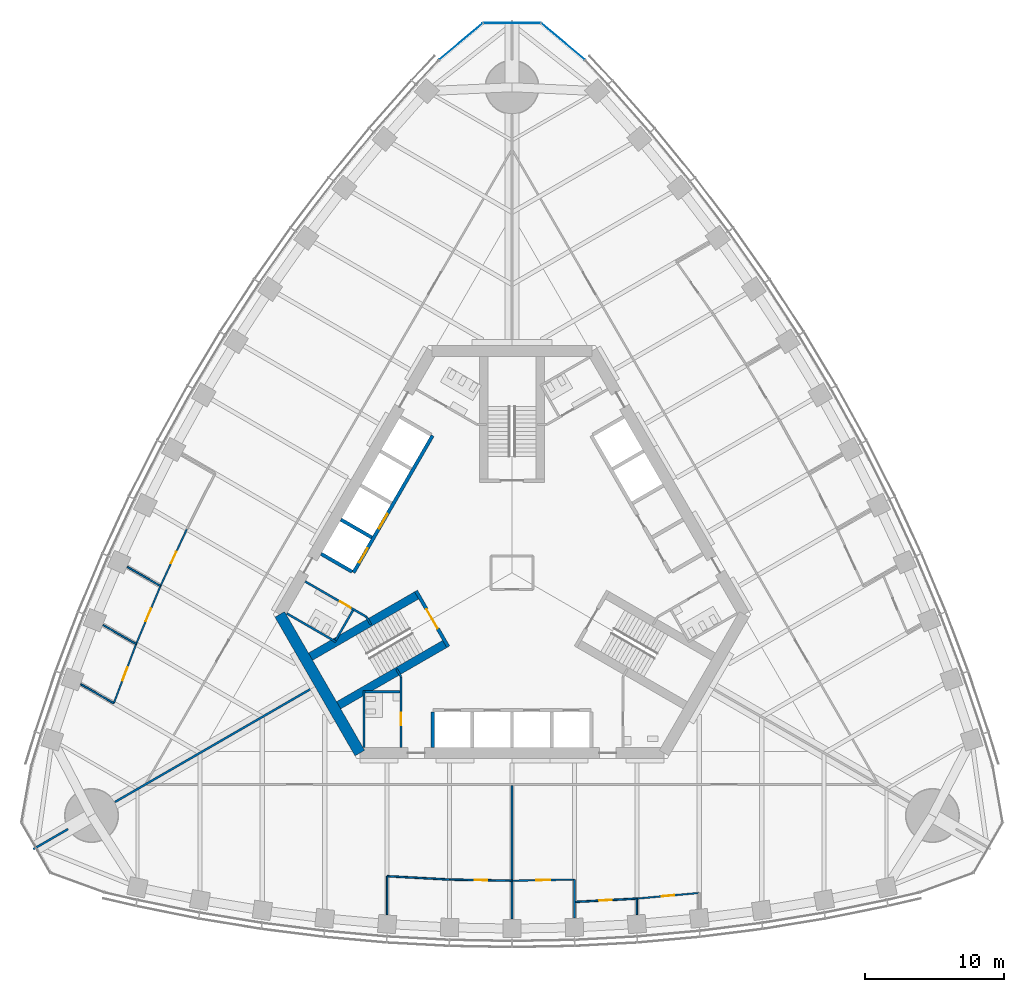
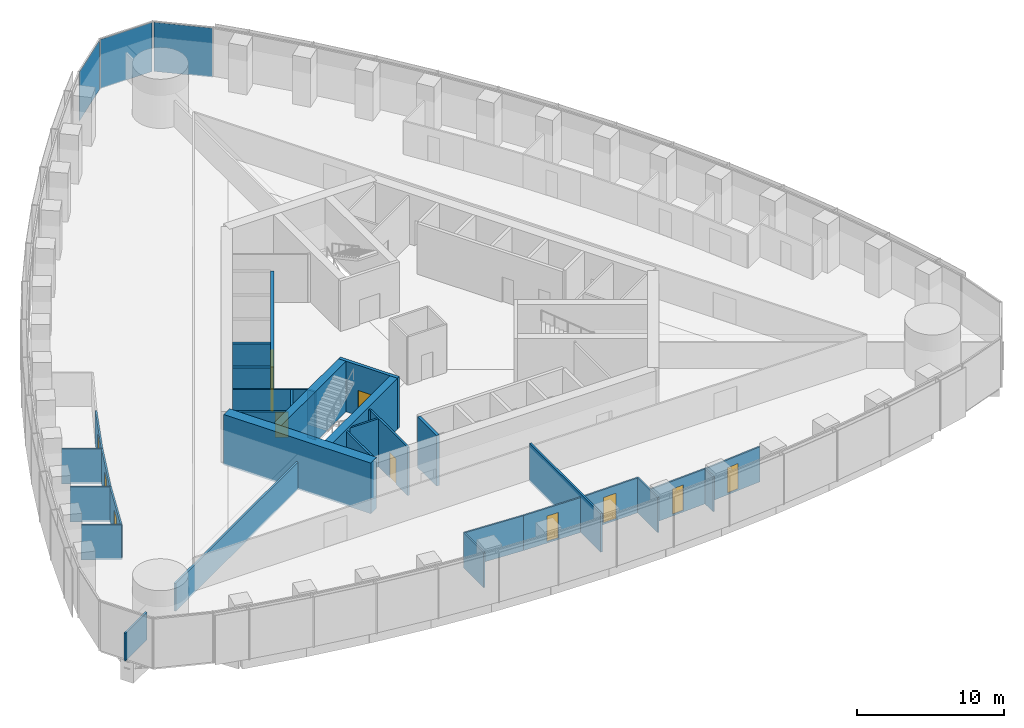
# One storey, part 11 of 19: 33 walls, 12 doors, 3 plates, 12 openings, 1 element without a shape of its own.
"""IFC4 building model written with IfcOpenShell, lengths in metres."""

from ifc_helpers import new_model, si_unit, direction, frame, frame_2d, origin, origin_2d, place, context, subcontext, project, spatial, rectangle, extrude, material, layer, layer_set, type_object, element, fill, aggregate, save


model = new_model("IFC4")

# Units and contexts
model_context = context("Model", 3, precision=1e-05, world=origin(), true_north=direction((0.0, 1.0)))
body_context = subcontext(model_context, "Body", "Model", "MODEL_VIEW")
ifc_project = project(units=[si_unit("LENGTHUNIT", "METRE"), si_unit("AREAUNIT", "SQUARE_METRE"), si_unit("VOLUMEUNIT", "CUBIC_METRE"), si_unit("PLANEANGLEUNIT", "RADIAN"), si_unit("MASSUNIT", "GRAM", prefix="KILO")], contexts=[model_context])

# Site, building, storey
site_placement = place(None, origin())
site = spatial("IfcSite", under=ifc_project, at=site_placement, CompositionType="ELEMENT")
building_placement = place(site_placement, origin())
building = spatial("IfcBuilding", under=site, at=building_placement, Name="Trefoil Bronze Tower", CompositionType="ELEMENT")
storey_placement = place(building_placement, frame((0.0, 0.0, 119.89990234375)))
storey = spatial("IfcBuildingStorey", under=building, at=storey_placement, Name="L27", CompositionType="ELEMENT", Elevation=119.89990234375)

# Curtain wall, plates
ifc_material_1 = material(Name="Tinted solar-control glass", Category="glass")
curtain_wall_type = type_object("IfcCurtainWallType", Name="Bronze rounded corner curtain wall", PredefinedType="USERDEFINED", material=ifc_material_1)
curtain_wall_placement = place(storey_placement, origin())
curtain_wall = element("IfcCurtainWall", 1, at=curtain_wall_placement, inside=storey, type_object=curtain_wall_type, Name="CW-B L27 K2", ObjectType="CURTAIN WALL", PredefinedType="USERDEFINED")
ifc_material_2 = material(Name="Tinted solar-control glass", Category="glass")
ifc_layer_1 = layer(ifc_material_2, 0.030029296875)
ifc_layer_set_1 = layer_set([ifc_layer_1], Name="Bronze rounded corner curtain wall glass panel")
plate_type = type_object("IfcPlateType", Name="Bronze rounded corner curtain wall glass panel", PredefinedType="CURTAIN_PANEL", material=ifc_layer_set_1)
plate_1_placement = place(storey_placement, frame((3.6884765625, 38.294921875, 0.0), z_axis=(0.0, 0.0, 1.0), x_axis=(-0.766044443119, 0.642787609687, 0.0)))
plate_1 = element("IfcPlate", 2, at=plate_1_placement, type_object=plate_type, Name="CW-B L27 K2 panel 1", PredefinedType="CURTAIN_PANEL", context=body_context, shape_type="SweptSolid", body=[
    extrude(rectangle(XDim=4.044189453125, YDim=0.030029296875, at=origin_2d()), origin(), (0.0, 0.0, 1.0), 4.080078125),
])
plate_2_placement = place(storey_placement, frame((0.0, 39.637451171875, 0.0), z_axis=(0.0, 0.0, 1.0), x_axis=(-1.0, 0.0, 0.0)))
plate_2 = element("IfcPlate", 3, at=plate_2_placement, type_object=plate_type, Name="CW-B L27 K2 panel 2", PredefinedType="CURTAIN_PANEL", context=body_context, shape_type="SweptSolid", body=[
    extrude(rectangle(XDim=4.044189453125, YDim=0.030029296875, at=origin_2d()), origin(), (0.0, 0.0, 1.0), 4.080078125),
])
plate_3_placement = place(storey_placement, frame((-3.6884765625, 38.294921875, 0.0), z_axis=(0.0, 0.0, 1.0), x_axis=(-0.766044443119, -0.642787609687, 0.0)))
plate_3 = element("IfcPlate", 4, at=plate_3_placement, type_object=plate_type, Name="CW-B L27 K2 panel 3", PredefinedType="CURTAIN_PANEL", context=body_context, shape_type="SweptSolid", body=[
    extrude(rectangle(XDim=4.044189453125, YDim=0.030029296875, at=origin_2d()), origin(), (0.0, 0.0, 1.0), 4.080078125),
])
aggregate(curtain_wall, [plate_1, plate_2, plate_3])

# Wall
ifc_material_3 = material(Name="Concrete B80", Category="concrete")
ifc_layer_2 = layer(ifc_material_3, 0.800048828125)
ifc_layer_set_2 = layer_set([ifc_layer_2], Name="Core wall 800")
wall_type_1 = type_object("IfcWallType", Name="Core wall 800", PredefinedType="SHEAR", material=ifc_layer_set_2)
wall_1_placement = place(storey_placement, frame((-16.7431640625, -3.0, 0.0), z_axis=(0.0, 0.0, 1.0), x_axis=(0.499995765644, -0.866027848477, 0.0)))
element("IfcWall", 5, at=wall_1_placement, inside=storey, type_object=wall_type_1, Name="Core short wall 3 L27", PredefinedType="SHEAR", context=body_context, shape_type="SweptSolid", body=[
    extrude(rectangle(XDim=11.546875, YDim=0.800048828125, at=frame_2d((5.7734375, 0.0))), origin(), (0.0, 0.0, 1.0), 4.2001953125),
])

# Wall, opening, door
ifc_material_4 = material(Name="Glazed partition", Category="glass")
ifc_layer_3 = layer(ifc_material_4, 0.1201171875)
ifc_layer_set_3 = layer_set([ifc_layer_3], Name="Glazed partition 120")
wall_type_2 = type_object("IfcWallType", Name="Glazed partition 120", PredefinedType="PARTITIONING", material=ifc_layer_set_3)
wall_2_placement = place(storey_placement, frame((0.0, -22.19970703125, 0.0), z_axis=(0.0, 0.0, 1.0), x_axis=(0.999837820638, 0.018009231578, 0.0)))
wall_2 = element("IfcWall", 6, at=wall_2_placement, inside=storey, type_object=wall_type_2, Name="Partition F1 L27", PredefinedType="PARTITIONING", context=body_context, shape_type="SweptSolid", body=[
    extrude(rectangle(XDim=4.500732421875, YDim=0.1201171875, at=frame_2d((2.25048828125, 0.0))), origin(), (0.0, 0.0, 1.0), 2.900146484375),
])
opening_1_placement = place(wall_2_placement, frame((1.75, 0.0, 0.14990234375)))
opening_1 = element("IfcOpeningElement", 7, at=opening_1_placement, cuts=wall_2, Name="Opening D9", PredefinedType="OPENING", context=body_context, shape_type="SweptSolid", body=[
    extrude(rectangle(XDim=1.0, YDim=2.10009765625, at=frame_2d((0.5, 1.050048828125))), frame((0.0, 0.070068359375, 0.0), z_axis=(0.0, -1.0, 0.0), x_axis=(1.0, 0.0, 0.0)), (0.0, 0.0, 1.0), 0.14013671875),
])
ifc_material_5 = material(Name="Glazed timber door", Category="wood")
door_type_1 = type_object("IfcDoorType", Name="Meeting room door 1000", OperationType="SINGLE_SWING_LEFT", PredefinedType="DOOR", material=ifc_material_5)
door_1_placement = place(opening_1_placement, frame((1.0, 0.0, 0.0), z_axis=(0.0, 0.0, 1.0), x_axis=(-1.0, 0.0, 0.0)))
door_1 = element("IfcDoor", 8, at=door_1_placement, inside=storey, type_object=door_type_1, Name="Meeting room door F1 L27", OperationType="SINGLE_SWING_RIGHT", OverallHeight=2.10009765625, OverallWidth=1.0, PredefinedType="DOOR", context=body_context, shape_type="SweptSolid", body=[
    extrude(rectangle(XDim=1.0, YDim=2.10009765625, at=frame_2d((0.5, 1.050048828125))), frame((0.0, 0.02490234375, 0.0), z_axis=(0.0, -1.0, 0.0), x_axis=(1.0, 0.0, 0.0)), (0.0, 0.0, 1.0), 0.050048828125),
])
fill(opening_1, door_1)

wall_3_placement = place(storey_placement, frame((4.5, -23.733642578125, 0.0), z_axis=(0.0, 0.0, 1.0), x_axis=(0.998537376538, 0.054065771581, 0.0)))
wall_3 = element("IfcWall", 9, at=wall_3_placement, inside=storey, type_object=wall_type_2, Name="Partition F1 L27", PredefinedType="PARTITIONING", context=body_context, shape_type="SweptSolid", body=[
    extrude(rectangle(XDim=4.506591796875, YDim=0.1201171875, at=frame_2d((2.25341796875, 0.0))), origin(), (0.0, 0.0, 1.0), 2.900146484375),
])
opening_2_placement = place(wall_3_placement, frame((1.800048828125, 0.0, 0.14990234375)))
opening_2 = element("IfcOpeningElement", 10, at=opening_2_placement, cuts=wall_3, Name="Opening D8", PredefinedType="OPENING", context=body_context, shape_type="SweptSolid", body=[
    extrude(rectangle(XDim=0.89990234375, YDim=2.10009765625, at=frame_2d((0.449951171875, 1.050048828125))), frame((0.0, 0.070068359375, 0.0), z_axis=(0.0, -1.0, 0.0), x_axis=(1.0, 0.0, 0.0)), (0.0, 0.0, 1.0), 0.14013671875),
])
ifc_material_6 = material(Name="Timber door", Category="wood")
door_type_2 = type_object("IfcDoorType", Name="Office door 900", OperationType="SINGLE_SWING_LEFT", PredefinedType="DOOR", material=ifc_material_6)
door_2_placement = place(opening_2_placement, frame((0.89990234375, 0.0, 0.0), z_axis=(0.0, 0.0, 1.0), x_axis=(-1.0, 0.0, 0.0)))
door_2 = element("IfcDoor", 11, at=door_2_placement, inside=storey, type_object=door_type_2, Name="Comms room door F1 L27", OperationType="SINGLE_SWING_RIGHT", OverallHeight=2.10009765625, OverallWidth=0.89990234375, PredefinedType="DOOR", context=body_context, shape_type="SweptSolid", body=[
    extrude(rectangle(XDim=0.89990234375, YDim=2.10009765625, at=frame_2d((0.449951171875, 1.050048828125))), frame((0.0, 0.02490234375, 0.0), z_axis=(0.0, -1.0, 0.0), x_axis=(1.0, 0.0, 0.0)), (0.0, 0.0, 1.0), 0.050048828125),
])
fill(opening_2, door_2)

wall_4_placement = place(storey_placement, frame((9.0, -23.489990234375, 0.0), z_axis=(0.0, 0.0, 1.0), x_axis=(0.995930325215, 0.090126507295, 0.0)))
wall_4 = element("IfcWall", 12, at=wall_4_placement, inside=storey, type_object=wall_type_2, Name="Partition F1 L27", PredefinedType="PARTITIONING", context=body_context, shape_type="SweptSolid", body=[
    extrude(rectangle(XDim=4.518310546875, YDim=0.1201171875, at=frame_2d((2.25927734375, 0.0))), origin(), (0.0, 0.0, 1.0), 2.900146484375),
])
opening_3_placement = place(wall_4_placement, frame((1.800048828125, 0.0, 0.14990234375)))
opening_3 = element("IfcOpeningElement", 13, at=opening_3_placement, cuts=wall_4, Name="Opening D8", PredefinedType="OPENING", context=body_context, shape_type="SweptSolid", body=[
    extrude(rectangle(XDim=0.89990234375, YDim=2.10009765625, at=frame_2d((0.449951171875, 1.050048828125))), frame((0.0, 0.070068359375, 0.0), z_axis=(0.0, -1.0, 0.0), x_axis=(1.0, 0.0, 0.0)), (0.0, 0.0, 1.0), 0.14013671875),
])
door_3_placement = place(opening_3_placement, frame((0.89990234375, 0.0, 0.0), z_axis=(0.0, 0.0, 1.0), x_axis=(-1.0, 0.0, 0.0)))
door_3 = element("IfcDoor", 14, at=door_3_placement, inside=storey, type_object=door_type_2, Name="Comms room door F1 L27", OperationType="SINGLE_SWING_RIGHT", OverallHeight=2.10009765625, OverallWidth=0.89990234375, PredefinedType="DOOR", context=body_context, shape_type="SweptSolid", body=[
    extrude(rectangle(XDim=0.89990234375, YDim=2.10009765625, at=frame_2d((0.449951171875, 1.050048828125))), frame((0.0, 0.02490234375, 0.0), z_axis=(0.0, -1.0, 0.0), x_axis=(1.0, 0.0, 0.0)), (0.0, 0.0, 1.0), 0.050048828125),
])
fill(opening_3, door_3)

wall_5_placement = place(storey_placement, frame((-4.5, -22.11865234375, 0.0), z_axis=(0.0, 0.0, 1.0), x_axis=(0.999837820638, -0.018009231578, 0.0)))
wall_5 = element("IfcWall", 15, at=wall_5_placement, inside=storey, type_object=wall_type_2, Name="Partition F1 L27", PredefinedType="PARTITIONING", context=body_context, shape_type="SweptSolid", body=[
    extrude(rectangle(XDim=4.500732421875, YDim=0.1201171875, at=frame_2d((2.25048828125, 0.0))), origin(), (0.0, 0.0, 1.0), 2.900146484375),
])
opening_4_placement = place(wall_5_placement, frame((1.800048828125, 0.0, 0.14990234375)))
opening_4 = element("IfcOpeningElement", 16, at=opening_4_placement, cuts=wall_5, Name="Opening D8", PredefinedType="OPENING", context=body_context, shape_type="SweptSolid", body=[
    extrude(rectangle(XDim=0.89990234375, YDim=2.10009765625, at=frame_2d((0.449951171875, 1.050048828125))), frame((0.0, 0.070068359375, 0.0), z_axis=(0.0, -1.0, 0.0), x_axis=(1.0, 0.0, 0.0)), (0.0, 0.0, 1.0), 0.14013671875),
])
door_4_placement = place(opening_4_placement, frame((0.89990234375, 0.0, 0.0), z_axis=(0.0, 0.0, 1.0), x_axis=(-1.0, 0.0, 0.0)))
door_4 = element("IfcDoor", 17, at=door_4_placement, inside=storey, type_object=door_type_2, Name="Office door F1 L27", OperationType="SINGLE_SWING_RIGHT", OverallHeight=2.10009765625, OverallWidth=0.89990234375, PredefinedType="DOOR", context=body_context, shape_type="SweptSolid", body=[
    extrude(rectangle(XDim=0.89990234375, YDim=2.10009765625, at=frame_2d((0.449951171875, 1.050048828125))), frame((0.0, 0.02490234375, 0.0), z_axis=(0.0, -1.0, 0.0), x_axis=(1.0, 0.0, 0.0)), (0.0, 0.0, 1.0), 0.050048828125),
])
fill(opening_4, door_4)

# Walls
wall_6_placement = place(storey_placement, frame((-9.0, -21.875, 0.0), z_axis=(0.0, 0.0, 1.0), x_axis=(0.998537376538, -0.054065771581, 0.0)))
element("IfcWall", 18, at=wall_6_placement, inside=storey, type_object=wall_type_2, Name="Partition F1 L27", PredefinedType="PARTITIONING", context=body_context, shape_type="SweptSolid", body=[
    extrude(rectangle(XDim=4.506591796875, YDim=0.1201171875, at=frame_2d((2.25341796875, 0.0))), origin(), (0.0, 0.0, 1.0), 2.900146484375),
])
wall_7_placement = place(storey_placement, frame((4.5, -22.11865234375, 0.0), z_axis=(0.0, 0.0, 1.0), x_axis=(0.0, -1.0, 0.0)))
element("IfcWall", 19, at=wall_7_placement, inside=storey, type_object=wall_type_2, Name="Partition F1 L27", PredefinedType="PARTITIONING", context=body_context, shape_type="SweptSolid", body=[
    extrude(rectangle(XDim=2.76904296875, YDim=0.1201171875, at=frame_2d((1.384521484375, 0.0))), origin(), (0.0, 0.0, 1.0), 2.900146484375),
])
wall_8_placement = place(storey_placement, frame((9.0, -23.489990234375, 0.0), z_axis=(0.0, 0.0, 1.0), x_axis=(0.0, -1.0, 0.0)))
element("IfcWall", 20, at=wall_8_placement, inside=storey, type_object=wall_type_2, Name="Partition F1 L27", PredefinedType="PARTITIONING", context=body_context, shape_type="SweptSolid", body=[
    extrude(rectangle(XDim=1.151123046875, YDim=0.1201171875, at=frame_2d((0.57568359375, 0.0))), origin(), (0.0, 0.0, 1.0), 2.900146484375),
])
wall_9_placement = place(storey_placement, frame((-9.0, -21.875, 0.0), z_axis=(0.0, 0.0, 1.0), x_axis=(0.0, -1.0, 0.0)))
element("IfcWall", 21, at=wall_9_placement, inside=storey, type_object=wall_type_2, Name="Partition F1 L27", PredefinedType="PARTITIONING", context=body_context, shape_type="SweptSolid", body=[
    extrude(rectangle(XDim=2.76611328125, YDim=0.1201171875, at=frame_2d((1.383056640625, 0.0))), origin(), (0.0, 0.0, 1.0), 2.900146484375),
])

# Wall, opening, door
wall_10_placement = place(storey_placement, frame((-25.341552734375, -0.95751953125, 0.0), z_axis=(0.0, 0.0, 1.0), x_axis=(-0.386807881778, -0.922160323693, 0.0)))
wall_10 = element("IfcWall", 22, at=wall_10_placement, inside=storey, type_object=wall_type_2, Name="Partition F3 L27", PredefinedType="PARTITIONING", context=body_context, shape_type="SweptSolid", body=[
    extrude(rectangle(XDim=4.5361328125, YDim=0.1201171875, at=frame_2d((2.26806640625, 0.0))), origin(), (0.0, 0.0, 1.0), 2.900146484375),
])
opening_5_placement = place(wall_10_placement, frame((1.75, 0.0, 0.14990234375)))
opening_5 = element("IfcOpeningElement", 23, at=opening_5_placement, cuts=wall_10, Name="Opening D9", PredefinedType="OPENING", context=body_context, shape_type="SweptSolid", body=[
    extrude(rectangle(XDim=1.0, YDim=2.10009765625, at=frame_2d((0.5, 1.050048828125))), frame((0.0, 0.070068359375, 0.0), z_axis=(0.0, -1.0, 0.0), x_axis=(1.0, 0.0, 0.0)), (0.0, 0.0, 1.0), 0.14013671875),
])
door_5_placement = place(opening_5_placement, frame((1.0, 0.0, 0.0), z_axis=(0.0, 0.0, 1.0), x_axis=(-1.0, 0.0, 0.0)))
door_5 = element("IfcDoor", 24, at=door_5_placement, inside=storey, type_object=door_type_1, Name="Meeting room door F3 L27", OperationType="SINGLE_SWING_RIGHT", OverallHeight=2.10009765625, OverallWidth=1.0, PredefinedType="DOOR", context=body_context, shape_type="SweptSolid", body=[
    extrude(rectangle(XDim=1.0, YDim=2.10009765625, at=frame_2d((0.5, 1.050048828125))), frame((0.0, 0.02490234375, 0.0), z_axis=(0.0, -1.0, 0.0), x_axis=(1.0, 0.0, 0.0)), (0.0, 0.0, 1.0), 0.050048828125),
])
fill(opening_5, door_5)

wall_11_placement = place(storey_placement, frame((-27.09619140625, -5.140625, 0.0), z_axis=(0.0, 0.0, 1.0), x_axis=(-0.352894560512, -0.93566309597, 0.0)))
wall_11 = element("IfcWall", 25, at=wall_11_placement, inside=storey, type_object=wall_type_2, Name="Partition F3 L27", PredefinedType="PARTITIONING", context=body_context, shape_type="SweptSolid", body=[
    extrude(rectangle(XDim=4.560546875, YDim=0.1201171875, at=frame_2d((2.2802734375, 0.0))), origin(), (0.0, 0.0, 1.0), 2.900146484375),
])
opening_6_placement = place(wall_11_placement, frame((1.800048828125, 0.0, 0.14990234375)))
opening_6 = element("IfcOpeningElement", 26, at=opening_6_placement, cuts=wall_11, Name="Opening D9", PredefinedType="OPENING", context=body_context, shape_type="SweptSolid", body=[
    extrude(rectangle(XDim=1.0, YDim=2.10009765625, at=frame_2d((0.5, 1.050048828125))), frame((0.0, 0.070068359375, 0.0), z_axis=(0.0, -1.0, 0.0), x_axis=(1.0, 0.0, 0.0)), (0.0, 0.0, 1.0), 0.14013671875),
])
door_6_placement = place(opening_6_placement, frame((1.0, 0.0, 0.0), z_axis=(0.0, 0.0, 1.0), x_axis=(-1.0, 0.0, 0.0)))
door_6 = element("IfcDoor", 27, at=door_6_placement, inside=storey, type_object=door_type_1, Name="Meeting room door F3 L27", OperationType="SINGLE_SWING_LEFT", OverallHeight=2.10009765625, OverallWidth=1.0, PredefinedType="DOOR", context=body_context, shape_type="SweptSolid", body=[
    extrude(rectangle(XDim=1.0, YDim=2.10009765625, at=frame_2d((0.5, 1.050048828125))), frame((0.0, 0.02490234375, 0.0), z_axis=(0.0, -1.0, 0.0), x_axis=(1.0, 0.0, 0.0)), (0.0, 0.0, 1.0), 0.050048828125),
])
fill(opening_6, door_6)

wall_12_placement = place(storey_placement, frame((-23.4443359375, 3.143310546875, 0.0), z_axis=(0.0, 0.0, 1.0), x_axis=(-0.419883773418, -0.907577884713, 0.0)))
wall_12 = element("IfcWall", 28, at=wall_12_placement, inside=storey, type_object=wall_type_2, Name="Partition F3 L27", PredefinedType="PARTITIONING", context=body_context, shape_type="SweptSolid", body=[
    extrude(rectangle(XDim=4.5185546875, YDim=0.1201171875, at=frame_2d((2.25927734375, 0.0))), origin(), (0.0, 0.0, 1.0), 2.900146484375),
])
opening_7_placement = place(wall_12_placement, frame((1.800048828125, 0.0, 0.14990234375)))
opening_7 = element("IfcOpeningElement", 29, at=opening_7_placement, cuts=wall_12, Name="Opening D8", PredefinedType="OPENING", context=body_context, shape_type="SweptSolid", body=[
    extrude(rectangle(XDim=0.89990234375, YDim=2.10009765625, at=frame_2d((0.449951171875, 1.050048828125))), frame((0.0, 0.070068359375, 0.0), z_axis=(0.0, -1.0, 0.0), x_axis=(1.0, 0.0, 0.0)), (0.0, 0.0, 1.0), 0.14013671875),
])
door_7_placement = place(opening_7_placement, frame((0.89990234375, 0.0, 0.0), z_axis=(0.0, 0.0, 1.0), x_axis=(-1.0, 0.0, 0.0)))
door_7 = element("IfcDoor", 30, at=door_7_placement, inside=storey, type_object=door_type_2, Name="Office door F3 L27", OperationType="SINGLE_SWING_RIGHT", OverallHeight=2.10009765625, OverallWidth=0.89990234375, PredefinedType="DOOR", context=body_context, shape_type="SweptSolid", body=[
    extrude(rectangle(XDim=0.89990234375, YDim=2.10009765625, at=frame_2d((0.449951171875, 1.050048828125))), frame((0.0, 0.02490234375, 0.0), z_axis=(0.0, -1.0, 0.0), x_axis=(1.0, 0.0, 0.0)), (0.0, 0.0, 1.0), 0.050048828125),
])
fill(opening_7, door_7)

# Walls
wall_13_placement = place(storey_placement, frame((-25.341552734375, -0.95751953125, 0.0), z_axis=(0.0, 0.0, 1.0), x_axis=(-0.866014808974, 0.500018350302, 0.0)))
element("IfcWall", 31, at=wall_13_placement, inside=storey, type_object=wall_type_2, Name="Partition F3 L27", PredefinedType="PARTITIONING", context=body_context, shape_type="SweptSolid", body=[
    extrude(rectangle(XDim=2.76171875, YDim=0.1201171875, at=frame_2d((1.380859375, 0.0))), origin(), (0.0, 0.0, 1.0), 2.900146484375),
])
wall_14_placement = place(storey_placement, frame((-27.09619140625, -5.140625, 0.0), z_axis=(0.0, 0.0, 1.0), x_axis=(-0.866014354455, 0.500019137511, 0.0)))
element("IfcWall", 32, at=wall_14_placement, inside=storey, type_object=wall_type_2, Name="Partition F3 L27", PredefinedType="PARTITIONING", context=body_context, shape_type="SweptSolid", body=[
    extrude(rectangle(XDim=2.75439453125, YDim=0.1201171875, at=frame_2d((1.377197265625, 0.0))), origin(), (0.0, 0.0, 1.0), 2.900146484375),
])
wall_15_placement = place(storey_placement, frame((-28.70556640625, -9.40771484375, 0.0), z_axis=(0.0, 0.0, 1.0), x_axis=(-0.866018252288, 0.500012386551, 0.0)))
element("IfcWall", 33, at=wall_15_placement, inside=storey, type_object=wall_type_2, Name="Partition F3 L27", PredefinedType="PARTITIONING", context=body_context, shape_type="SweptSolid", body=[
    extrude(rectangle(XDim=2.74560546875, YDim=0.1201171875, at=frame_2d((1.372802734375, 0.0))), origin(), (0.0, 0.0, 1.0), 2.900146484375),
])

# Wall, opening, door
ifc_material_7 = material(Name="Gypsum board on steel studs", Category="steel")
ifc_layer_4 = layer(ifc_material_7, 0.14990234375)
ifc_layer_set_4 = layer_set([ifc_layer_4], Name="Partition 150")
wall_type_3 = type_object("IfcWallType", Name="Partition 150", PredefinedType="PARTITIONING", material=ifc_layer_set_4)
wall_16_placement = place(storey_placement, frame((-8.0, -7.5, 0.0), z_axis=(0.0, 0.0, 1.0), x_axis=(0.0, -1.0, 0.0)))
wall_16 = element("IfcWall", 34, at=wall_16_placement, inside=storey, type_object=wall_type_3, Name="Passage wall F1- L27", PredefinedType="PARTITIONING", context=body_context, shape_type="SweptSolid", body=[
    extrude(rectangle(XDim=5.10009765625, YDim=0.14990234375, at=frame_2d((2.550048828125, 0.0))), origin(), (0.0, 0.0, 1.0), 4.0),
])
opening_8_placement = place(wall_16_placement, frame((2.60009765625, 0.0, 0.0)))
opening_8 = element("IfcOpeningElement", 35, at=opening_8_placement, cuts=wall_16, Name="Opening D3", PredefinedType="OPENING", context=body_context, shape_type="SweptSolid", body=[
    extrude(rectangle(XDim=0.89990234375, YDim=2.10009765625, at=frame_2d((0.449951171875, 1.050048828125))), frame((0.0, 0.0849609375, 0.0), z_axis=(0.0, -1.0, 0.0), x_axis=(1.0, 0.0, 0.0)), (0.0, 0.0, 1.0), 0.169921875),
])
ifc_material_8 = material(Name="Timber door", Category="wood")
door_type_3 = type_object("IfcDoorType", Name="WC door 900", OperationType="SINGLE_SWING_LEFT", PredefinedType="DOOR", material=ifc_material_8)
door_8_placement = place(opening_8_placement, frame((0.89990234375, 0.0, 0.0), z_axis=(0.0, 0.0, 1.0), x_axis=(-1.0, 0.0, 0.0)))
door_8 = element("IfcDoor", 36, at=door_8_placement, inside=storey, type_object=door_type_3, Name="WC (women) door L27", OperationType="SINGLE_SWING_RIGHT", OverallHeight=2.10009765625, OverallWidth=0.89990234375, PredefinedType="DOOR", context=body_context, shape_type="SweptSolid", body=[
    extrude(rectangle(XDim=0.89990234375, YDim=2.10009765625, at=frame_2d((0.449951171875, 1.050048828125))), frame((0.0, 0.02490234375, 0.0), z_axis=(0.0, -1.0, 0.0), x_axis=(1.0, 0.0, 0.0)), (0.0, 0.0, 1.0), 0.050048828125),
])
fill(opening_8, door_8)

wall_17_placement = place(storey_placement, frame((-10.4951171875, -3.17822265625, 0.0), z_axis=(0.0, 0.0, 1.0), x_axis=(-0.86602216432, 0.500005610874, 0.0)))
wall_17 = element("IfcWall", 37, at=wall_17_placement, inside=storey, type_object=wall_type_3, Name="Passage wall F3+ L27", PredefinedType="PARTITIONING", context=body_context, shape_type="SweptSolid", body=[
    extrude(rectangle(XDim=5.10009765625, YDim=0.14990234375, at=frame_2d((2.550048828125, 0.0))), origin(), (0.0, 0.0, 1.0), 4.0),
])
opening_9_placement = place(wall_17_placement, frame((1.300048828125, 0.0, 0.0)))
opening_9 = element("IfcOpeningElement", 38, at=opening_9_placement, cuts=wall_17, Name="Opening D3", PredefinedType="OPENING", context=body_context, shape_type="SweptSolid", body=[
    extrude(rectangle(XDim=0.89990234375, YDim=2.10009765625, at=frame_2d((0.449951171875, 1.050048828125))), frame((0.0, 0.0849609375, 0.0), z_axis=(0.0, -1.0, 0.0), x_axis=(1.0, 0.0, 0.0)), (0.0, 0.0, 1.0), 0.169921875),
])
door_9_placement = place(opening_9_placement, origin())
door_9 = element("IfcDoor", 39, at=door_9_placement, inside=storey, type_object=door_type_3, Name="WC (men) door L27", OperationType="SINGLE_SWING_LEFT", OverallHeight=2.10009765625, OverallWidth=0.89990234375, PredefinedType="DOOR", context=body_context, shape_type="SweptSolid", body=[
    extrude(rectangle(XDim=0.89990234375, YDim=2.10009765625, at=frame_2d((0.449951171875, 1.050048828125))), frame((0.0, 0.02490234375, 0.0), z_axis=(0.0, -1.0, 0.0), x_axis=(1.0, 0.0, 0.0)), (0.0, 0.0, 1.0), 0.050048828125),
])
fill(opening_9, door_9)

# Walls
for number, where, z_axis, x_axis, name in (
    (40, (-10.4951171875, -3.17822265625, 0.0), (0.0, 0.0, 1.0), (0.499842556608, -0.866116284689, 0.0), "WC wall ST3-1 L27"),
    (41, (-8.0, -7.5, 0.0), (0.0, 0.0, 1.0), (-0.499842556608, 0.866116284689, 0.0), "WC wall ST3+1 L27"),
):
    element("IfcWall", number, at=place(storey_placement, frame(where, z_axis=z_axis, x_axis=x_axis)), inside=storey, type_object=wall_type_3, Name=name, PredefinedType="PARTITIONING", context=body_context, shape_type="SweptSolid", body=[
        extrude(rectangle(XDim=0.645263671875, YDim=0.14990234375, at=frame_2d((0.32275390625, 0.0))), origin(), (0.0, 0.0, 1.0), 4.0),
    ])
wall_18_placement = place(storey_placement, frame((-12.691162109375, -4.98193359375, 0.0), z_axis=(0.0, 0.0, 1.0), x_axis=(-0.8660249478, 0.500000789788, 0.0)))
element("IfcWall", 42, at=wall_18_placement, inside=storey, type_object=wall_type_3, Name="WC partition WC (men) L27", PredefinedType="PARTITIONING", context=body_context, shape_type="SweptSolid", body=[
    extrude(rectangle(XDim=4.10009765625, YDim=0.14990234375, at=frame_2d((2.050048828125, 0.0))), origin(), (0.0, 0.0, 1.0), 4.0),
])
wall_19_placement = place(storey_placement, frame((-11.463623046875, -2.70556640625, 0.0), z_axis=(0.0, 0.0, 1.0), x_axis=(-0.50001992892, -0.866013897511, 0.0)))
element("IfcWall", 43, at=wall_19_placement, inside=storey, type_object=wall_type_3, Name="WC partition WC (men) L27", PredefinedType="PARTITIONING", context=body_context, shape_type="SweptSolid", body=[
    extrude(rectangle(XDim=2.51025390625, YDim=0.14990234375, at=frame_2d((1.255126953125, 0.0))), origin(), (0.0, 0.0, 1.0), 4.0),
])
wall_20_placement = place(storey_placement, frame((-10.659912109375, -8.5, 0.0), z_axis=(0.0, 0.0, 1.0), x_axis=(0.0, -1.0, 0.0)))
element("IfcWall", 44, at=wall_20_placement, inside=storey, type_object=wall_type_3, Name="WC partition WC (women) L27", PredefinedType="PARTITIONING", context=body_context, shape_type="SweptSolid", body=[
    extrude(rectangle(XDim=4.10009765625, YDim=0.14990234375, at=frame_2d((2.050048828125, 0.0))), origin(), (0.0, 0.0, 1.0), 4.0),
])
wall_21_placement = place(storey_placement, frame((-8.074951171875, -8.574951171875, 0.0), z_axis=(0.0, 0.0, 1.0), x_axis=(-1.0, 0.0, 0.0)))
element("IfcWall", 45, at=wall_21_placement, inside=storey, type_object=wall_type_3, Name="WC partition WC (women) L27", PredefinedType="PARTITIONING", context=body_context, shape_type="SweptSolid", body=[
    extrude(rectangle(XDim=2.510009765625, YDim=0.14990234375, at=frame_2d((1.2548828125, 0.0))), origin(), (0.0, 0.0, 1.0), 4.0),
])
ifc_material_9 = material(Name="Gypsum board on steel studs", Category="steel")
ifc_layer_5 = layer(ifc_material_9, 0.14990234375)
ifc_layer_set_5 = layer_set([ifc_layer_5], Name="Party wall 150")
wall_type_4 = type_object("IfcWallType", Name="Party wall 150", PredefinedType="PARTITIONING", material=ifc_layer_set_5)
wall_22_placement = place(storey_placement, frame((-14.202880859375, -8.199951171875, 0.0), z_axis=(0.0, 0.0, 1.0), x_axis=(-0.866024668836, -0.500001272966, 0.0)))
element("IfcWall", 46, at=wall_22_placement, inside=storey, type_object=wall_type_4, Name="Party wall K3 L27", PredefinedType="PARTITIONING", context=body_context, shape_type="SweptSolid", body=[
    extrude(rectangle(XDim=16.64990234375, YDim=0.14990234375, at=frame_2d((8.324951171875, 0.0))), origin(), (0.0, 0.0, 1.0), 2.300048828125),
])
wall_23_placement = place(storey_placement, frame((-31.999755859375, -18.47509765625, 0.0), z_axis=(0.0, 0.0, 1.0), x_axis=(-0.866042548026, -0.499970304126, 0.0)))
element("IfcWall", 47, at=wall_23_placement, inside=storey, type_object=wall_type_4, Name="Party wall K3 L27", PredefinedType="PARTITIONING", context=body_context, shape_type="SweptSolid", body=[
    extrude(rectangle(XDim=2.899169921875, YDim=0.14990234375, at=frame_2d((1.44970703125, 0.0))), origin(), (0.0, 0.0, 1.0), 2.300048828125),
])
wall_24_placement = place(storey_placement, frame((0.0, -15.320068359375, 0.0), z_axis=(0.0, 0.0, 1.0), x_axis=(0.0, -1.0, 0.0)))
element("IfcWall", 48, at=wall_24_placement, inside=storey, type_object=wall_type_4, Name="Demising wall F1 L27", PredefinedType="PARTITIONING", context=body_context, shape_type="SweptSolid", body=[
    extrude(rectangle(XDim=9.649658203125, YDim=0.14990234375, at=frame_2d((4.82470703125, 0.0))), origin(), (0.0, 0.0, 1.0), 3.2001953125),
])
ifc_material_10 = material(Name="Concrete B80", Category="concrete")
ifc_layer_6 = layer(ifc_material_10, 0.25)
ifc_layer_set_6 = layer_set([ifc_layer_6], Name="Shaft wall 250")
wall_type_5 = type_object("IfcWallType", Name="Shaft wall 250", PredefinedType="SHEAR", material=ifc_layer_set_6)
wall_25_placement = place(storey_placement, frame((-5.699951171875, -10.02490234375, 0.0), z_axis=(0.0, 0.0, 1.0), x_axis=(0.0, -1.0, 0.0)))
element("IfcWall", 49, at=wall_25_placement, inside=storey, type_object=wall_type_5, Name="Lift shaft side wall A0 L27", PredefinedType="SHEAR", context=body_context, shape_type="SweptSolid", body=[
    extrude(rectangle(XDim=2.5751953125, YDim=0.25, at=frame_2d((1.28759765625, 0.0))), origin(), (0.0, 0.0, 1.0), 4.2001953125),
])

# Wall, openings, doors
wall_26_placement = place(storey_placement, frame((-5.7236328125, 9.88623046875, 0.0), z_axis=(0.0, 0.0, 1.0), x_axis=(-0.500001763848, -0.866024385424, 0.0)))
wall_26 = element("IfcWall", 50, at=wall_26_placement, inside=storey, type_object=wall_type_5, Name="Lift shaft front wall C L27", PredefinedType="SHEAR", context=body_context, shape_type="SweptSolid", body=[
    extrude(rectangle(XDim=11.39990234375, YDim=0.25, at=frame_2d((5.699951171875, 0.0))), origin(), (0.0, 0.0, 1.0), 4.2001953125),
])
opening_10_placement = place(wall_26_placement, frame((6.52490234375, 0.0, 0.0)))
opening_10 = element("IfcOpeningElement", 51, at=opening_10_placement, cuts=wall_26, Name="Opening LD-FL1", PredefinedType="OPENING", context=body_context, shape_type="SweptSolid", body=[
    extrude(rectangle(XDim=1.199951171875, YDim=2.199951171875, at=frame_2d((0.60009765625, 1.10009765625))), frame((0.0, 0.135009765625, 0.0), z_axis=(0.0, -1.0, 0.0), x_axis=(1.0, 0.0, 0.0)), (0.0, 0.0, 1.0), 0.27001953125),
])
opening_11_placement = place(wall_26_placement, frame((9.375, 0.0, 0.0)))
opening_11 = element("IfcOpeningElement", 52, at=opening_11_placement, cuts=wall_26, Name="Opening LD-FL2", PredefinedType="OPENING", context=body_context, shape_type="SweptSolid", body=[
    extrude(rectangle(XDim=1.199951171875, YDim=2.199951171875, at=frame_2d((0.60009765625, 1.10009765625))), frame((0.0, 0.135009765625, 0.0), z_axis=(0.0, -1.0, 0.0), x_axis=(1.0, 0.0, 0.0)), (0.0, 0.0, 1.0), 0.27001953125),
])
ifc_material_11 = material(Name="Steel door", Category="steel")
door_type_4 = type_object("IfcDoorType", Name="Lift landing door 1200", OperationType="DOUBLE_DOOR_SLIDING", PredefinedType="DOOR", material=ifc_material_11)
door_10_placement = place(opening_10_placement, origin())
door_10 = element("IfcDoor", 53, at=door_10_placement, inside=storey, type_object=door_type_4, Name="Lift FL1 landing door L27", OperationType="DOUBLE_DOOR_SLIDING", OverallHeight=2.199951171875, OverallWidth=1.199951171875, PredefinedType="DOOR", context=body_context, shape_type="SweptSolid", body=[
    extrude(rectangle(XDim=1.199951171875, YDim=2.199951171875, at=frame_2d((0.60009765625, 1.10009765625))), frame((0.0, 0.02490234375, 0.0), z_axis=(0.0, -1.0, 0.0), x_axis=(1.0, 0.0, 0.0)), (0.0, 0.0, 1.0), 0.050048828125),
])
fill(opening_10, door_10)
door_11_placement = place(opening_11_placement, origin())
door_11 = element("IfcDoor", 54, at=door_11_placement, inside=storey, type_object=door_type_4, Name="Lift FL2 landing door L27", OperationType="DOUBLE_DOOR_SLIDING", OverallHeight=2.199951171875, OverallWidth=1.199951171875, PredefinedType="DOOR", context=body_context, shape_type="SweptSolid", body=[
    extrude(rectangle(XDim=1.199951171875, YDim=2.199951171875, at=frame_2d((0.60009765625, 1.10009765625))), frame((0.0, 0.02490234375, 0.0), z_axis=(0.0, -1.0, 0.0), x_axis=(1.0, 0.0, 0.0)), (0.0, 0.0, 1.0), 0.050048828125),
])
fill(opening_11, door_11)

# Walls
for number, where, z_axis, x_axis, name in (
    (55, (-10.10693359375, 2.54443359375, 0.0), (0.0, 0.0, 1.0), (-0.866046643894, 0.499963209246, 0.0), "Lift shaft side wall C3 L27"),
    (56, (-11.531982421875, 0.076171875, 0.0), (0.0, 0.0, 1.0), (-0.866005588531, 0.500034319456, 0.0), "Lift shaft side wall C4 L27"),
):
    element("IfcWall", number, at=place(storey_placement, frame(where, z_axis=z_axis, x_axis=x_axis)), inside=storey, type_object=wall_type_5, Name=name, PredefinedType="SHEAR", context=body_context, shape_type="SweptSolid", body=[
        extrude(rectangle(XDim=2.574951171875, YDim=0.25, at=frame_2d((1.28759765625, 0.0))), origin(), (0.0, 0.0, 1.0), 4.2001953125),
    ])

# Wall, opening, door
wall_27_placement = place(storey_placement, frame((-6.921630859375, -1.3115234375, 0.0), z_axis=(0.0, 0.0, 1.0), x_axis=(0.499984536904, -0.866034331223, 0.0)))
wall_27 = element("IfcWall", 57, at=wall_27_placement, inside=storey, type_object=wall_type_5, Name="Stair end wall ST3 L27", PredefinedType="SHEAR", context=body_context, shape_type="SweptSolid", body=[
    extrude(rectangle(XDim=4.650146484375, YDim=0.25, at=frame_2d((2.3251953125, 0.0))), origin(), (0.0, 0.0, 1.0), 4.2001953125),
])
opening_12_placement = place(wall_27_placement, frame((1.52490234375, 0.0, 0.0)))
opening_12 = element("IfcOpeningElement", 58, at=opening_12_placement, cuts=wall_27, Name="Opening D1", PredefinedType="OPENING", context=body_context, shape_type="SweptSolid", body=[
    extrude(rectangle(XDim=1.60009765625, YDim=2.10009765625, at=frame_2d((0.800048828125, 1.050048828125))), frame((0.0, 0.135009765625, 0.0), z_axis=(0.0, -1.0, 0.0), x_axis=(1.0, 0.0, 0.0)), (0.0, 0.0, 1.0), 0.27001953125),
])
ifc_material_12 = material(Name="Steel door", Category="steel")
door_type_5 = type_object("IfcDoorType", Name="Stair door 1600", OperationType="DOUBLE_DOOR_SINGLE_SWING", PredefinedType="DOOR", material=ifc_material_12)
door_12_placement = place(opening_12_placement, frame((1.60009765625, 0.0, 0.0), z_axis=(0.0, 0.0, 1.0), x_axis=(-1.0, 0.0, 0.0)))
door_12 = element("IfcDoor", 59, at=door_12_placement, inside=storey, type_object=door_type_5, Name="Stair door ST3 L27", OperationType="DOUBLE_DOOR_SINGLE_SWING", OverallHeight=2.10009765625, OverallWidth=1.60009765625, PredefinedType="DOOR", context=body_context, shape_type="SweptSolid", body=[
    extrude(rectangle(XDim=1.60009765625, YDim=2.10009765625, at=frame_2d((0.800048828125, 1.050048828125))), frame((0.0, 0.02490234375, 0.0), z_axis=(0.0, -1.0, 0.0), x_axis=(1.0, 0.0, 0.0)), (0.0, 0.0, 1.0), 0.050048828125),
])
fill(opening_12, door_12)

# Walls
ifc_material_13 = material(Name="Concrete B80", Category="concrete")
ifc_layer_7 = layer(ifc_material_13, 0.60009765625)
ifc_layer_set_7 = layer_set([ifc_layer_7], Name="Stair wall 600")
wall_type_6 = type_object("IfcWallType", Name="Stair wall 600", PredefinedType="SHEAR", material=ifc_layer_set_7)
for number, where, z_axis, x_axis, name in (
    (60, (-6.663330078125, -1.5087890625, 0.0), (0.0, 0.0, 1.0), (-0.866019375473, -0.500010441196, 0.0), "Stair wall ST3 L27"),
    (61, (-4.638427734375, -5.01611328125, 0.0), (0.0, 0.0, 1.0), (-0.866019375473, -0.500010441196, 0.0), "Stair wall ST3 L27"),
):
    element("IfcWall", number, at=place(storey_placement, frame(where, z_axis=z_axis, x_axis=x_axis)), inside=storey, type_object=wall_type_6, Name=name, PredefinedType="SHEAR", context=body_context, shape_type="SweptSolid", body=[
        extrude(rectangle(XDim=9.074951171875, YDim=0.60009765625, at=frame_2d((4.53759765625, 0.0))), origin(), (0.0, 0.0, 1.0), 4.2001953125),
    ])

save(model, "model.ifc")
